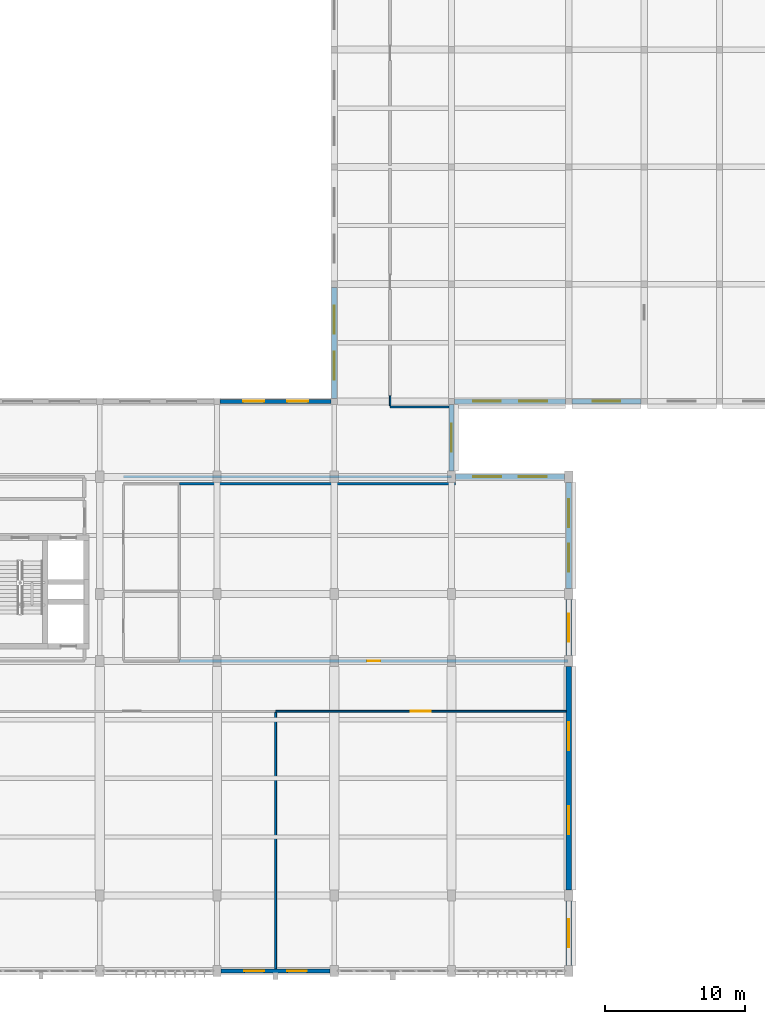
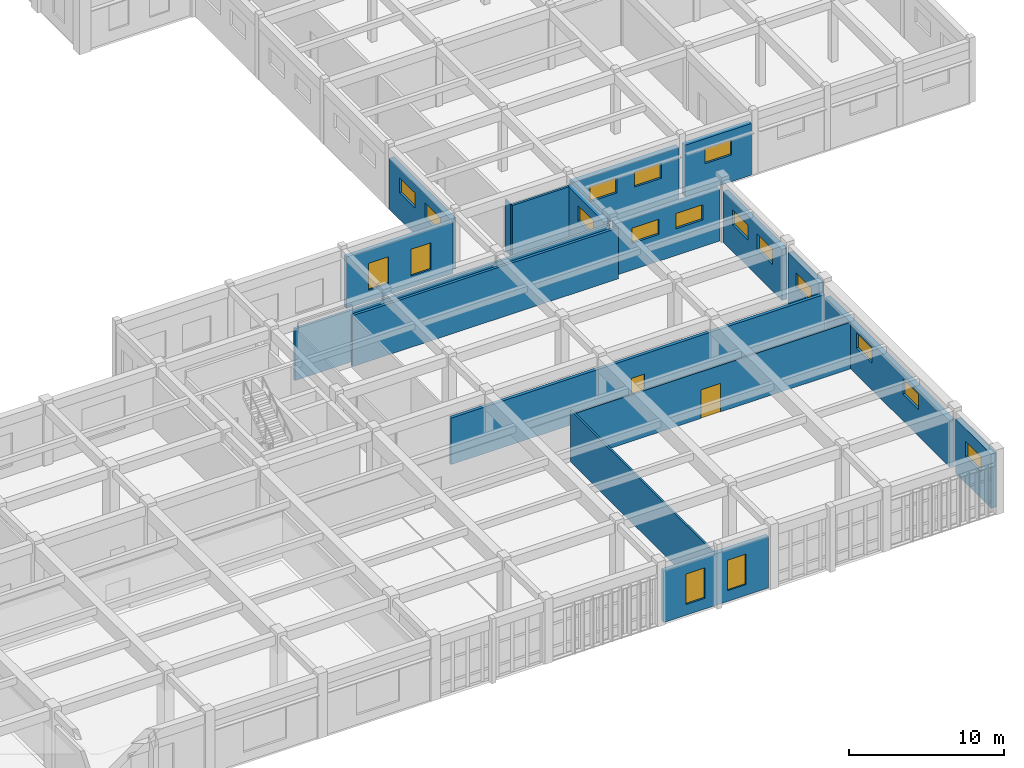
# One storey, part 93 of 106: 18 walls, 18 windows, 2 doors, 20 openings.
"""IFC4 building model written with IfcOpenShell, lengths in metres."""

from ifc_helpers import new_model, si_unit, direction, frame, frame_2d, origin, place, context, subcontext, project, spatial, rectangle, extrude, material, layer, layer_set, type_object, element, fill, save


model = new_model("IFC4")

# Units and contexts
model_context = context("Model", 3, precision=1e-05, world=origin(), true_north=direction((0.0, 1.0)))
body_context = subcontext(model_context, "Body", "Model", "MODEL_VIEW")
ifc_project = project(units=[si_unit("LENGTHUNIT", "METRE"), si_unit("AREAUNIT", "SQUARE_METRE"), si_unit("VOLUMEUNIT", "CUBIC_METRE"), si_unit("PLANEANGLEUNIT", "RADIAN"), si_unit("MASSUNIT", "GRAM", prefix="KILO")], contexts=[model_context])

# Site, building, storey
site_placement = place(None, origin())
site = spatial("IfcSite", under=ifc_project, at=site_placement, CompositionType="ELEMENT")
building_placement = place(site_placement, origin())
building = spatial("IfcBuilding", under=site, at=building_placement, Name="Krzemoval Escarpment Law Courts", CompositionType="ELEMENT")
storey_placement = place(building_placement, frame((0.0, 0.0, 5.10009765625)))
storey = spatial("IfcBuildingStorey", under=building, at=storey_placement, Name="L01", CompositionType="ELEMENT", Elevation=5.10009765625)

# Wall, openings, windows
ifc_material_1 = material(Name="Precast concrete C40/50", Category="concrete")
ifc_layer_1 = layer(ifc_material_1, 0.300048828125)
ifc_layer_set_1 = layer_set([ifc_layer_1], Name="Precast concrete C40/50")
wall_type_1 = type_object("IfcWallType", Name="WL-EXT-300", PredefinedType="SOLIDWALL", material=ifc_layer_set_1)
wall_1_placement = place(storey_placement, frame((134.10009765625, 0.0, 0.0), z_axis=(0.0, 0.0, 1.0), x_axis=(-1.0, 0.0, 0.0)))
wall_1 = element("IfcWall", 1, at=wall_1_placement, inside=storey, type_object=wall_type_1, Name="Exterior Wall EW-L01-0226", PredefinedType="SOLIDWALL", context=body_context, shape_type="SweptSolid", body=[
    extrude(rectangle(XDim=7.800048828125, YDim=0.300048828125, at=frame_2d((3.89990234375, 0.0))), origin(), (0.0, 0.0, 1.0), 4.06982421875),
])
opening_1_placement = place(wall_1_placement, frame((1.6669921875, 0.0, 0.85009765625)))
opening_1 = element("IfcOpeningElement", 2, at=opening_1_placement, cuts=wall_1, Name="Opening WN-L01-0226", PredefinedType="OPENING", context=body_context, shape_type="SweptSolid", body=[
    extrude(rectangle(XDim=1.39990234375, YDim=2.39990234375, at=frame_2d((0.699951171875, 1.199951171875))), frame((0.0, 0.16502, 0.0), z_axis=(0.0, -1.0, 0.0), x_axis=(1.0, 0.0, 0.0)), (0.0, 0.0, 1.0), 0.33005),
])
opening_2_placement = place(wall_1_placement, frame((4.73291015625, 0.0, 0.85009765625)))
opening_2 = element("IfcOpeningElement", 3, at=opening_2_placement, cuts=wall_1, Name="Opening WN-L01-0227", PredefinedType="OPENING", context=body_context, shape_type="SweptSolid", body=[
    extrude(rectangle(XDim=1.39990234375, YDim=2.39990234375, at=frame_2d((0.699951171875, 1.199951171875))), frame((0.0, 0.16502, 0.0), z_axis=(0.0, -1.0, 0.0), x_axis=(1.0, 0.0, 0.0)), (0.0, 0.0, 1.0), 0.33005),
])
ifc_material_2 = material(Name="Thermally Broken Aluminium Frame with Triple Low-E Acoustic Glass", Category="aluminium")
window_type_1 = type_object("IfcWindowType", Name="WN-1400x2400", PartitioningType="SINGLE_PANEL", PredefinedType="WINDOW", material=ifc_material_2)
window_1_placement = place(opening_1_placement, origin())
window_1 = element("IfcWindow", 4, at=window_1_placement, inside=storey, type_object=window_type_1, Name="Facade Window WN-L01-0226", OverallHeight=2.39990234375, OverallWidth=1.39990234375, PartitioningType="SINGLE_PANEL", PredefinedType="WINDOW", context=body_context, shape_type="SweptSolid", body=[
    extrude(rectangle(XDim=1.39990234375, YDim=2.39990234375, at=frame_2d((0.699951171875, 1.199951171875))), frame((0.0, 0.030029296875, 0.0), z_axis=(0.0, -1.0, 0.0), x_axis=(1.0, 0.0, 0.0)), (0.0, 0.0, 1.0), 0.06005859375),
])
fill(opening_1, window_1)
window_2_placement = place(opening_2_placement, origin())
window_2 = element("IfcWindow", 5, at=window_2_placement, inside=storey, type_object=window_type_1, Name="Facade Window WN-L01-0227", OverallHeight=2.39990234375, OverallWidth=1.39990234375, PartitioningType="SINGLE_PANEL", PredefinedType="WINDOW", context=body_context, shape_type="SweptSolid", body=[
    extrude(rectangle(XDim=1.39990234375, YDim=2.39990234375, at=frame_2d((0.699951171875, 1.199951171875))), frame((0.0, 0.030029296875, 0.0), z_axis=(0.0, -1.0, 0.0), x_axis=(1.0, 0.0, 0.0)), (0.0, 0.0, 1.0), 0.06005859375),
])
fill(opening_2, window_2)

wall_2_placement = place(storey_placement, frame((126.22509765625, 40.800048828125, 0.0), z_axis=(0.0, 0.0, 1.0), x_axis=(1.0, 0.0, 0.0)))
wall_2 = element("IfcWall", 6, at=wall_2_placement, inside=storey, type_object=wall_type_1, Name="Exterior Wall EW-L01-0248", PredefinedType="SOLIDWALL", context=body_context, shape_type="SweptSolid", body=[
    extrude(rectangle(XDim=7.949951171875, YDim=0.300048828125, at=frame_2d((3.97509765625, 0.0))), origin(), (0.0, 0.0, 1.0), 4.06982421875),
])
opening_3_placement = place(wall_2_placement, frame((1.64990234375, 0.0, 0.89990234375)))
opening_3 = element("IfcOpeningElement", 7, at=opening_3_placement, cuts=wall_2, Name="Opening WN-L01-0259", PredefinedType="OPENING", context=body_context, shape_type="SweptSolid", body=[
    extrude(rectangle(XDim=1.5, YDim=2.10009765625, at=frame_2d((0.75, 1.050048828125))), frame((0.0, 0.16502, 0.0), z_axis=(0.0, -1.0, 0.0), x_axis=(1.0, 0.0, 0.0)), (0.0, 0.0, 1.0), 0.33005),
])
opening_4_placement = place(wall_2_placement, frame((4.800048828125, 0.0, 0.89990234375)))
opening_4 = element("IfcOpeningElement", 8, at=opening_4_placement, cuts=wall_2, Name="Opening WN-L01-0260", PredefinedType="OPENING", context=body_context, shape_type="SweptSolid", body=[
    extrude(rectangle(XDim=1.5, YDim=2.10009765625, at=frame_2d((0.75, 1.050048828125))), frame((0.0, 0.16502, 0.0), z_axis=(0.0, -1.0, 0.0), x_axis=(1.0, 0.0, 0.0)), (0.0, 0.0, 1.0), 0.33005),
])
ifc_material_3 = material(Name="Thermally Broken Aluminium Frame with Triple Low-E Acoustic Glass", Category="aluminium")
window_type_2 = type_object("IfcWindowType", Name="WN-1500x2100", PartitioningType="SINGLE_PANEL", PredefinedType="WINDOW", material=ifc_material_3)
window_3_placement = place(opening_3_placement, origin())
window_3 = element("IfcWindow", 9, at=window_3_placement, inside=storey, type_object=window_type_2, Name="Facade Window WN-L01-0259", OverallHeight=2.10009765625, OverallWidth=1.5, PartitioningType="SINGLE_PANEL", PredefinedType="WINDOW", context=body_context, shape_type="SweptSolid", body=[
    extrude(rectangle(XDim=1.5, YDim=2.10009765625, at=frame_2d((0.75, 1.050048828125))), frame((0.0, 0.030029296875, 0.0), z_axis=(0.0, -1.0, 0.0), x_axis=(1.0, 0.0, 0.0)), (0.0, 0.0, 1.0), 0.06005859375),
])
fill(opening_3, window_3)
window_4_placement = place(opening_4_placement, origin())
window_4 = element("IfcWindow", 10, at=window_4_placement, inside=storey, type_object=window_type_2, Name="Facade Window WN-L01-0260", OverallHeight=2.10009765625, OverallWidth=1.5, PartitioningType="SINGLE_PANEL", PredefinedType="WINDOW", context=body_context, shape_type="SweptSolid", body=[
    extrude(rectangle(XDim=1.5, YDim=2.10009765625, at=frame_2d((0.75, 1.050048828125))), frame((0.0, 0.030029296875, 0.0), z_axis=(0.0, -1.0, 0.0), x_axis=(1.0, 0.0, 0.0)), (0.0, 0.0, 1.0), 0.06005859375),
])
fill(opening_4, window_4)

# Wall, opening, window
ifc_material_4 = material(Name="Concrete C40/50", Category="concrete")
ifc_layer_2 = layer(ifc_material_4, 0.3798828125)
ifc_layer_set_2 = layer_set([ifc_layer_2], Name="Concrete C40/50")
wall_type_2 = type_object("IfcWallType", Name="WL-EXT-380", PredefinedType="SOLIDWALL", material=ifc_layer_set_2)
wall_3_placement = place(storey_placement, frame((156.375, 40.800048828125, 0.0), z_axis=(0.0, 0.0, 1.0), x_axis=(-1.0, 0.0, 0.0)))
wall_3 = element("IfcWall", 11, at=wall_3_placement, inside=storey, type_object=wall_type_2, Name="Exterior Wall EW-L01-0218", PredefinedType="SOLIDWALL", context=body_context, shape_type="SweptSolid", body=[
    extrude(rectangle(XDim=4.949951171875, YDim=0.3798828125, at=frame_2d((2.47509765625, 0.0))), origin(), (0.0, 0.0, 1.0), 4.06982421875),
])
opening_5_placement = place(wall_3_placement, frame((1.47509765625, 0.0, 2.10009765625)))
opening_5 = element("IfcOpeningElement", 12, at=opening_5_placement, cuts=wall_3, Name="Opening WN-L01-0214", PredefinedType="OPENING", context=body_context, shape_type="SweptSolid", body=[
    extrude(rectangle(XDim=2.0, YDim=1.199951171875, at=frame_2d((1.0, 0.60009765625))), frame((0.0, 0.20494, 0.0), z_axis=(0.0, -1.0, 0.0), x_axis=(1.0, 0.0, 0.0)), (0.0, 0.0, 1.0), 0.40988),
])
ifc_material_5 = material(Name="Thermally Broken Aluminium Frame with Triple Low-E Acoustic Glass", Category="aluminium")
window_type_3 = type_object("IfcWindowType", Name="WN-2000x1200", PartitioningType="SINGLE_PANEL", PredefinedType="WINDOW", material=ifc_material_5)
window_5_placement = place(opening_5_placement, origin())
window_5 = element("IfcWindow", 13, at=window_5_placement, inside=storey, type_object=window_type_3, Name="Facade Window WN-L01-0214", OverallHeight=1.199951171875, OverallWidth=2.0, PartitioningType="SINGLE_PANEL", PredefinedType="WINDOW", context=body_context, shape_type="SweptSolid", body=[
    extrude(rectangle(XDim=2.0, YDim=1.199951171875, at=frame_2d((1.0, 0.60009765625))), frame((0.0, 0.030029296875, 0.0), z_axis=(0.0, -1.0, 0.0), x_axis=(1.0, 0.0, 0.0)), (0.0, 0.0, 1.0), 0.06005859375),
])
fill(opening_5, window_5)

# Wall, openings, windows
wall_4_placement = place(storey_placement, frame((150.97509765625, 40.800048828125, 0.0), z_axis=(0.0, 0.0, 1.0), x_axis=(-1.0, 0.0, 0.0)))
wall_4 = element("IfcWall", 14, at=wall_4_placement, inside=storey, type_object=wall_type_2, Name="Exterior Wall EW-L01-0219", PredefinedType="SOLIDWALL", context=body_context, shape_type="SweptSolid", body=[
    extrude(rectangle(XDim=7.9501953125, YDim=0.3798828125, at=frame_2d((3.97509765625, 0.0))), origin(), (0.0, 0.0, 1.0), 4.06982421875),
])
opening_6_placement = place(wall_4_placement, frame((1.31689453125, 0.0, 2.10009765625)))
opening_6 = element("IfcOpeningElement", 15, at=opening_6_placement, cuts=wall_4, Name="Opening WN-L01-0215", PredefinedType="OPENING", context=body_context, shape_type="SweptSolid", body=[
    extrude(rectangle(XDim=2.0, YDim=1.199951171875, at=frame_2d((1.0, 0.60009765625))), frame((0.0, 0.20494, 0.0), z_axis=(0.0, -1.0, 0.0), x_axis=(1.0, 0.0, 0.0)), (0.0, 0.0, 1.0), 0.40988),
])
opening_7_placement = place(wall_4_placement, frame((4.633056640625, 0.0, 2.10009765625)))
opening_7 = element("IfcOpeningElement", 16, at=opening_7_placement, cuts=wall_4, Name="Opening WN-L01-0216", PredefinedType="OPENING", context=body_context, shape_type="SweptSolid", body=[
    extrude(rectangle(XDim=2.0, YDim=1.199951171875, at=frame_2d((1.0, 0.60009765625))), frame((0.0, 0.20494, 0.0), z_axis=(0.0, -1.0, 0.0), x_axis=(1.0, 0.0, 0.0)), (0.0, 0.0, 1.0), 0.40988),
])
window_6_placement = place(opening_6_placement, origin())
window_6 = element("IfcWindow", 17, at=window_6_placement, inside=storey, type_object=window_type_3, Name="Facade Window WN-L01-0215", OverallHeight=1.199951171875, OverallWidth=2.0, PartitioningType="SINGLE_PANEL", PredefinedType="WINDOW", context=body_context, shape_type="SweptSolid", body=[
    extrude(rectangle(XDim=2.0, YDim=1.199951171875, at=frame_2d((1.0, 0.60009765625))), frame((0.0, 0.030029296875, 0.0), z_axis=(0.0, -1.0, 0.0), x_axis=(1.0, 0.0, 0.0)), (0.0, 0.0, 1.0), 0.06005859375),
])
fill(opening_6, window_6)
window_7_placement = place(opening_7_placement, origin())
window_7 = element("IfcWindow", 18, at=window_7_placement, inside=storey, type_object=window_type_3, Name="Facade Window WN-L01-0216", OverallHeight=1.199951171875, OverallWidth=2.0, PartitioningType="SINGLE_PANEL", PredefinedType="WINDOW", context=body_context, shape_type="SweptSolid", body=[
    extrude(rectangle(XDim=2.0, YDim=1.199951171875, at=frame_2d((1.0, 0.60009765625))), frame((0.0, 0.030029296875, 0.0), z_axis=(0.0, -1.0, 0.0), x_axis=(1.0, 0.0, 0.0)), (0.0, 0.0, 1.0), 0.06005859375),
])
fill(opening_7, window_7)

# Wall, opening, window
wall_5_placement = place(storey_placement, frame((142.800048828125, 40.574951171875, 0.0), z_axis=(0.0, 0.0, 1.0), x_axis=(0.0, -1.0, 0.0)))
wall_5 = element("IfcWall", 19, at=wall_5_placement, inside=storey, type_object=wall_type_2, Name="Exterior Wall EW-L01-0220", PredefinedType="SOLIDWALL", context=body_context, shape_type="SweptSolid", body=[
    extrude(rectangle(XDim=4.77490234375, YDim=0.3798828125, at=frame_2d((2.387451171875, 0.0))), origin(), (0.0, 0.0, 1.0), 4.02001953125),
])
opening_8_placement = place(wall_5_placement, frame((1.387939453125, 0.0, 2.10009765625)))
opening_8 = element("IfcOpeningElement", 20, at=opening_8_placement, cuts=wall_5, Name="Opening WN-L01-0217", PredefinedType="OPENING", context=body_context, shape_type="SweptSolid", body=[
    extrude(rectangle(XDim=2.0, YDim=1.199951171875, at=frame_2d((1.0, 0.60009765625))), frame((0.0, 0.20494, 0.0), z_axis=(0.0, -1.0, 0.0), x_axis=(1.0, 0.0, 0.0)), (0.0, 0.0, 1.0), 0.40988),
])
window_8_placement = place(opening_8_placement, origin())
window_8 = element("IfcWindow", 21, at=window_8_placement, inside=storey, type_object=window_type_3, Name="Facade Window WN-L01-0217", OverallHeight=1.199951171875, OverallWidth=2.0, PartitioningType="SINGLE_PANEL", PredefinedType="WINDOW", context=body_context, shape_type="SweptSolid", body=[
    extrude(rectangle(XDim=2.0, YDim=1.199951171875, at=frame_2d((1.0, 0.60009765625))), frame((0.0, 0.030029296875, 0.0), z_axis=(0.0, -1.0, 0.0), x_axis=(1.0, 0.0, 0.0)), (0.0, 0.0, 1.0), 0.06005859375),
])
fill(opening_8, window_8)

# Wall, openings, windows
wall_6_placement = place(storey_placement, frame((143.10009765625, 35.39990234375, 0.0), z_axis=(0.0, 0.0, 1.0), x_axis=(1.0, 0.0, 0.0)))
wall_6 = element("IfcWall", 22, at=wall_6_placement, inside=storey, type_object=wall_type_2, Name="Exterior Wall EW-L01-0221", PredefinedType="SOLIDWALL", context=body_context, shape_type="SweptSolid", body=[
    extrude(rectangle(XDim=7.7998046875, YDim=0.3798828125, at=frame_2d((3.89990234375, 0.0))), origin(), (0.0, 0.0, 1.0), 4.06982421875),
])
opening_9_placement = place(wall_6_placement, frame((1.26708984375, 0.0, 2.10009765625)))
opening_9 = element("IfcOpeningElement", 23, at=opening_9_placement, cuts=wall_6, Name="Opening WN-L01-0218", PredefinedType="OPENING", context=body_context, shape_type="SweptSolid", body=[
    extrude(rectangle(XDim=2.0, YDim=1.199951171875, at=frame_2d((1.0, 0.60009765625))), frame((0.0, 0.20494, 0.0), z_axis=(0.0, -1.0, 0.0), x_axis=(1.0, 0.0, 0.0)), (0.0, 0.0, 1.0), 0.40988),
])
opening_10_placement = place(wall_6_placement, frame((4.532958984375, 0.0, 2.10009765625)))
opening_10 = element("IfcOpeningElement", 24, at=opening_10_placement, cuts=wall_6, Name="Opening WN-L01-0219", PredefinedType="OPENING", context=body_context, shape_type="SweptSolid", body=[
    extrude(rectangle(XDim=2.0, YDim=1.199951171875, at=frame_2d((1.0, 0.60009765625))), frame((0.0, 0.20494, 0.0), z_axis=(0.0, -1.0, 0.0), x_axis=(1.0, 0.0, 0.0)), (0.0, 0.0, 1.0), 0.40988),
])
window_9_placement = place(opening_9_placement, origin())
window_9 = element("IfcWindow", 25, at=window_9_placement, inside=storey, type_object=window_type_3, Name="Facade Window WN-L01-0218", OverallHeight=1.199951171875, OverallWidth=2.0, PartitioningType="SINGLE_PANEL", PredefinedType="WINDOW", context=body_context, shape_type="SweptSolid", body=[
    extrude(rectangle(XDim=2.0, YDim=1.199951171875, at=frame_2d((1.0, 0.60009765625))), frame((0.0, 0.030029296875, 0.0), z_axis=(0.0, -1.0, 0.0), x_axis=(1.0, 0.0, 0.0)), (0.0, 0.0, 1.0), 0.06005859375),
])
fill(opening_9, window_9)
window_10_placement = place(opening_10_placement, origin())
window_10 = element("IfcWindow", 26, at=window_10_placement, inside=storey, type_object=window_type_3, Name="Facade Window WN-L01-0219", OverallHeight=1.199951171875, OverallWidth=2.0, PartitioningType="SINGLE_PANEL", PredefinedType="WINDOW", context=body_context, shape_type="SweptSolid", body=[
    extrude(rectangle(XDim=2.0, YDim=1.199951171875, at=frame_2d((1.0, 0.60009765625))), frame((0.0, 0.030029296875, 0.0), z_axis=(0.0, -1.0, 0.0), x_axis=(1.0, 0.0, 0.0)), (0.0, 0.0, 1.0), 0.06005859375),
])
fill(opening_10, window_10)

wall_7_placement = place(storey_placement, frame((151.199951171875, 35.0, 0.0), z_axis=(0.0, 0.0, 1.0), x_axis=(0.0, -1.0, 0.0)))
wall_7 = element("IfcWall", 27, at=wall_7_placement, inside=storey, type_object=wall_type_2, Name="Exterior Wall EW-L01-0222", PredefinedType="SOLIDWALL", context=body_context, shape_type="SweptSolid", body=[
    extrude(rectangle(XDim=7.60009765625, YDim=0.3798828125, at=frame_2d((3.800048828125, 0.0))), origin(), (0.0, 0.0, 1.0), 4.02001953125),
])
opening_11_placement = place(wall_7_placement, frame((1.199951171875, 0.0, 2.10009765625)))
opening_11 = element("IfcOpeningElement", 28, at=opening_11_placement, cuts=wall_7, Name="Opening WN-L01-0220", PredefinedType="OPENING", context=body_context, shape_type="SweptSolid", body=[
    extrude(rectangle(XDim=2.0, YDim=1.199951171875, at=frame_2d((1.0, 0.60009765625))), frame((0.0, 0.20494, 0.0), z_axis=(0.0, -1.0, 0.0), x_axis=(1.0, 0.0, 0.0)), (0.0, 0.0, 1.0), 0.40988),
])
opening_12_placement = place(wall_7_placement, frame((4.39990234375, 0.0, 2.10009765625)))
opening_12 = element("IfcOpeningElement", 29, at=opening_12_placement, cuts=wall_7, Name="Opening WN-L01-0221", PredefinedType="OPENING", context=body_context, shape_type="SweptSolid", body=[
    extrude(rectangle(XDim=2.0, YDim=1.199951171875, at=frame_2d((1.0, 0.60009765625))), frame((0.0, 0.20494, 0.0), z_axis=(0.0, -1.0, 0.0), x_axis=(1.0, 0.0, 0.0)), (0.0, 0.0, 1.0), 0.40988),
])
window_11_placement = place(opening_11_placement, origin())
window_11 = element("IfcWindow", 30, at=window_11_placement, inside=storey, type_object=window_type_3, Name="Facade Window WN-L01-0220", OverallHeight=1.199951171875, OverallWidth=2.0, PartitioningType="SINGLE_PANEL", PredefinedType="WINDOW", context=body_context, shape_type="SweptSolid", body=[
    extrude(rectangle(XDim=2.0, YDim=1.199951171875, at=frame_2d((1.0, 0.60009765625))), frame((0.0, 0.030029296875, 0.0), z_axis=(0.0, -1.0, 0.0), x_axis=(1.0, 0.0, 0.0)), (0.0, 0.0, 1.0), 0.06005859375),
])
fill(opening_11, window_11)
window_12_placement = place(opening_12_placement, origin())
window_12 = element("IfcWindow", 31, at=window_12_placement, inside=storey, type_object=window_type_3, Name="Facade Window WN-L01-0221", OverallHeight=1.199951171875, OverallWidth=2.0, PartitioningType="SINGLE_PANEL", PredefinedType="WINDOW", context=body_context, shape_type="SweptSolid", body=[
    extrude(rectangle(XDim=2.0, YDim=1.199951171875, at=frame_2d((1.0, 0.60009765625))), frame((0.0, 0.030029296875, 0.0), z_axis=(0.0, -1.0, 0.0), x_axis=(1.0, 0.0, 0.0)), (0.0, 0.0, 1.0), 0.06005859375),
])
fill(opening_12, window_12)

# Wall, opening, window
wall_8_placement = place(storey_placement, frame((151.199951171875, 26.60009765625, 0.0), z_axis=(0.0, 0.0, 1.0), x_axis=(0.0, -1.0, 0.0)))
wall_8 = element("IfcWall", 32, at=wall_8_placement, inside=storey, type_object=wall_type_2, Name="Exterior Wall EW-L01-0223", PredefinedType="SOLIDWALL", context=body_context, shape_type="SweptSolid", body=[
    extrude(rectangle(XDim=4.0, YDim=0.3798828125, at=frame_2d((2.0, 0.0))), origin(), (0.0, 0.0, 1.0), 4.27001953125),
])
opening_13_placement = place(wall_8_placement, frame((1.0, 0.0, 2.10009765625)))
opening_13 = element("IfcOpeningElement", 33, at=opening_13_placement, cuts=wall_8, Name="Opening WN-L01-0222", PredefinedType="OPENING", context=body_context, shape_type="SweptSolid", body=[
    extrude(rectangle(XDim=2.0, YDim=1.199951171875, at=frame_2d((1.0, 0.60009765625))), frame((0.0, 0.20494, 0.0), z_axis=(0.0, -1.0, 0.0), x_axis=(1.0, 0.0, 0.0)), (0.0, 0.0, 1.0), 0.40988),
])
window_13_placement = place(opening_13_placement, origin())
window_13 = element("IfcWindow", 34, at=window_13_placement, inside=storey, type_object=window_type_3, Name="Facade Window WN-L01-0222", OverallHeight=1.199951171875, OverallWidth=2.0, PartitioningType="SINGLE_PANEL", PredefinedType="WINDOW", context=body_context, shape_type="SweptSolid", body=[
    extrude(rectangle(XDim=2.0, YDim=1.199951171875, at=frame_2d((1.0, 0.60009765625))), frame((0.0, 0.030029296875, 0.0), z_axis=(0.0, -1.0, 0.0), x_axis=(1.0, 0.0, 0.0)), (0.0, 0.0, 1.0), 0.06005859375),
])
fill(opening_13, window_13)

# Wall, openings, windows
wall_9_placement = place(storey_placement, frame((151.199951171875, 21.800048828125, 0.0), z_axis=(0.0, 0.0, 1.0), x_axis=(0.0, -1.0, 0.0)))
wall_9 = element("IfcWall", 35, at=wall_9_placement, inside=storey, type_object=wall_type_2, Name="Exterior Wall EW-L01-0224", PredefinedType="SOLIDWALL", context=body_context, shape_type="SweptSolid", body=[
    extrude(rectangle(XDim=16.0, YDim=0.3798828125, at=frame_2d((8.0, 0.0))), origin(), (0.0, 0.0, 1.0), 3.669921875),
])
opening_14_placement = place(wall_9_placement, frame((4.0, 0.0, 2.10009765625)))
opening_14 = element("IfcOpeningElement", 36, at=opening_14_placement, cuts=wall_9, Name="Opening WN-L01-0223", PredefinedType="OPENING", context=body_context, shape_type="SweptSolid", body=[
    extrude(rectangle(XDim=2.0, YDim=1.199951171875, at=frame_2d((1.0, 0.60009765625))), frame((0.0, 0.20494, 0.0), z_axis=(0.0, -1.0, 0.0), x_axis=(1.0, 0.0, 0.0)), (0.0, 0.0, 1.0), 0.40988),
])
opening_15_placement = place(wall_9_placement, frame((10.0, 0.0, 2.10009765625)))
opening_15 = element("IfcOpeningElement", 37, at=opening_15_placement, cuts=wall_9, Name="Opening WN-L01-0224", PredefinedType="OPENING", context=body_context, shape_type="SweptSolid", body=[
    extrude(rectangle(XDim=2.0, YDim=1.199951171875, at=frame_2d((1.0, 0.60009765625))), frame((0.0, 0.20494, 0.0), z_axis=(0.0, -1.0, 0.0), x_axis=(1.0, 0.0, 0.0)), (0.0, 0.0, 1.0), 0.40988),
])
window_14_placement = place(opening_14_placement, origin())
window_14 = element("IfcWindow", 38, at=window_14_placement, inside=storey, type_object=window_type_3, Name="Facade Window WN-L01-0223", OverallHeight=1.199951171875, OverallWidth=2.0, PartitioningType="SINGLE_PANEL", PredefinedType="WINDOW", context=body_context, shape_type="SweptSolid", body=[
    extrude(rectangle(XDim=2.0, YDim=1.199951171875, at=frame_2d((1.0, 0.60009765625))), frame((0.0, 0.030029296875, 0.0), z_axis=(0.0, -1.0, 0.0), x_axis=(1.0, 0.0, 0.0)), (0.0, 0.0, 1.0), 0.06005859375),
])
fill(opening_14, window_14)
window_15_placement = place(opening_15_placement, origin())
window_15 = element("IfcWindow", 39, at=window_15_placement, inside=storey, type_object=window_type_3, Name="Facade Window WN-L01-0224", OverallHeight=1.199951171875, OverallWidth=2.0, PartitioningType="SINGLE_PANEL", PredefinedType="WINDOW", context=body_context, shape_type="SweptSolid", body=[
    extrude(rectangle(XDim=2.0, YDim=1.199951171875, at=frame_2d((1.0, 0.60009765625))), frame((0.0, 0.030029296875, 0.0), z_axis=(0.0, -1.0, 0.0), x_axis=(1.0, 0.0, 0.0)), (0.0, 0.0, 1.0), 0.06005859375),
])
fill(opening_15, window_15)

# Wall, opening, window
wall_10_placement = place(storey_placement, frame((151.199951171875, 5.0, 0.0), z_axis=(0.0, 0.0, 1.0), x_axis=(0.0, -1.0, 0.0)))
wall_10 = element("IfcWall", 40, at=wall_10_placement, inside=storey, type_object=wall_type_2, Name="Exterior Wall EW-L01-0225", PredefinedType="SOLIDWALL", context=body_context, shape_type="SweptSolid", body=[
    extrude(rectangle(XDim=4.60009765625, YDim=0.3798828125, at=frame_2d((2.300048828125, 0.0))), origin(), (0.0, 0.0, 1.0), 4.27001953125),
])
opening_16_placement = place(wall_10_placement, frame((1.300048828125, 0.0, 2.10009765625)))
opening_16 = element("IfcOpeningElement", 41, at=opening_16_placement, cuts=wall_10, Name="Opening WN-L01-0225", PredefinedType="OPENING", context=body_context, shape_type="SweptSolid", body=[
    extrude(rectangle(XDim=2.0, YDim=1.199951171875, at=frame_2d((1.0, 0.60009765625))), frame((0.0, 0.20494, 0.0), z_axis=(0.0, -1.0, 0.0), x_axis=(1.0, 0.0, 0.0)), (0.0, 0.0, 1.0), 0.40988),
])
window_16_placement = place(opening_16_placement, origin())
window_16 = element("IfcWindow", 42, at=window_16_placement, inside=storey, type_object=window_type_3, Name="Facade Window WN-L01-0225", OverallHeight=1.199951171875, OverallWidth=2.0, PartitioningType="SINGLE_PANEL", PredefinedType="WINDOW", context=body_context, shape_type="SweptSolid", body=[
    extrude(rectangle(XDim=2.0, YDim=1.199951171875, at=frame_2d((1.0, 0.60009765625))), frame((0.0, 0.030029296875, 0.0), z_axis=(0.0, -1.0, 0.0), x_axis=(1.0, 0.0, 0.0)), (0.0, 0.0, 1.0), 0.06005859375),
])
fill(opening_16, window_16)

# Wall, openings, windows
wall_11_placement = place(storey_placement, frame((134.39990234375, 41.02490234375, 0.0), z_axis=(0.0, 0.0, 1.0), x_axis=(0.0, 1.0, 0.0)))
wall_11 = element("IfcWall", 43, at=wall_11_placement, inside=storey, type_object=wall_type_2, Name="Exterior Wall EW-L01-0249", PredefinedType="SOLIDWALL", context=body_context, shape_type="SweptSolid", body=[
    extrude(rectangle(XDim=7.9501953125, YDim=0.3798828125, at=frame_2d((3.97509765625, 0.0))), origin(), (0.0, 0.0, 1.0), 4.02001953125),
])
opening_17_placement = place(wall_11_placement, frame((1.31689453125, 0.0, 2.10009765625)))
opening_17 = element("IfcOpeningElement", 44, at=opening_17_placement, cuts=wall_11, Name="Opening WN-L01-0261", PredefinedType="OPENING", context=body_context, shape_type="SweptSolid", body=[
    extrude(rectangle(XDim=2.0, YDim=1.199951171875, at=frame_2d((1.0, 0.60009765625))), frame((0.0, 0.20494, 0.0), z_axis=(0.0, -1.0, 0.0), x_axis=(1.0, 0.0, 0.0)), (0.0, 0.0, 1.0), 0.40988),
])
opening_18_placement = place(wall_11_placement, frame((4.633056640625, 0.0, 2.10009765625)))
opening_18 = element("IfcOpeningElement", 45, at=opening_18_placement, cuts=wall_11, Name="Opening WN-L01-0262", PredefinedType="OPENING", context=body_context, shape_type="SweptSolid", body=[
    extrude(rectangle(XDim=2.0, YDim=1.199951171875, at=frame_2d((1.0, 0.60009765625))), frame((0.0, 0.20494, 0.0), z_axis=(0.0, -1.0, 0.0), x_axis=(1.0, 0.0, 0.0)), (0.0, 0.0, 1.0), 0.40988),
])
window_17_placement = place(opening_17_placement, origin())
window_17 = element("IfcWindow", 46, at=window_17_placement, inside=storey, type_object=window_type_3, Name="Facade Window WN-L01-0261", OverallHeight=1.199951171875, OverallWidth=2.0, PartitioningType="SINGLE_PANEL", PredefinedType="WINDOW", context=body_context, shape_type="SweptSolid", body=[
    extrude(rectangle(XDim=2.0, YDim=1.199951171875, at=frame_2d((1.0, 0.60009765625))), frame((0.0, 0.030029296875, 0.0), z_axis=(0.0, -1.0, 0.0), x_axis=(1.0, 0.0, 0.0)), (0.0, 0.0, 1.0), 0.06005859375),
])
fill(opening_17, window_17)
window_18_placement = place(opening_18_placement, origin())
window_18 = element("IfcWindow", 47, at=window_18_placement, inside=storey, type_object=window_type_3, Name="Facade Window WN-L01-0262", OverallHeight=1.199951171875, OverallWidth=2.0, PartitioningType="SINGLE_PANEL", PredefinedType="WINDOW", context=body_context, shape_type="SweptSolid", body=[
    extrude(rectangle(XDim=2.0, YDim=1.199951171875, at=frame_2d((1.0, 0.60009765625))), frame((0.0, 0.030029296875, 0.0), z_axis=(0.0, -1.0, 0.0), x_axis=(1.0, 0.0, 0.0)), (0.0, 0.0, 1.0), 0.06005859375),
])
fill(opening_18, window_18)

# Wall
ifc_material_6 = material(Name="Light Internal Subdivision Partition", Category="gypsum")
ifc_layer_3 = layer(ifc_material_6, 0.114990234375)
ifc_layer_set_3 = layer_set([ifc_layer_3], Name="Light Internal Subdivision Partition")
wall_type_3 = type_object("IfcWallType", Name="WL-PRT-115", PredefinedType="PARTITIONING", material=ifc_layer_set_3)
wall_12_placement = place(storey_placement, frame((138.39990234375, 40.48193359375, 0.0), z_axis=(0.0, 0.0, 1.0), x_axis=(0.0, 1.0, 0.0)))
element("IfcWall", 48, at=wall_12_placement, inside=storey, type_object=wall_type_3, Name="Interior Partition PW-L01-0353", PredefinedType="PARTITIONING", context=body_context, shape_type="SweptSolid", body=[
    extrude(rectangle(XDim=0.718017578125, YDim=0.114990234375, at=frame_2d((0.35888671875, 0.0))), origin(), (0.0, 0.0, 1.0), 4.06982421875),
])

# Wall, opening, door
ifc_material_7 = material(Name="Standard Metal-Stud Gypsum Partition", Category="gypsum")
ifc_layer_4 = layer(ifc_material_7, 0.125)
ifc_layer_set_4 = layer_set([ifc_layer_4], Name="Standard Metal-Stud Gypsum Partition")
wall_type_4 = type_object("IfcWallType", Name="WL-PRT-125", PredefinedType="PARTITIONING", material=ifc_layer_set_4)
wall_13_placement = place(storey_placement, frame((130.199951171875, 18.60009765625, 0.0), z_axis=(0.0, 0.0, 1.0), x_axis=(1.0, 0.0, 0.0)))
wall_13 = element("IfcWall", 49, at=wall_13_placement, inside=storey, type_object=wall_type_4, Name="Interior Partition PW-L01-0232", PredefinedType="PARTITIONING", context=body_context, shape_type="SweptSolid", body=[
    extrude(rectangle(XDim=20.80810546875, YDim=0.125, at=frame_2d((10.404052734375, 0.0))), origin(), (0.0, 0.0, 1.0), 3.669921875),
])
opening_19_placement = place(wall_13_placement, frame((9.678955078125, 0.0, 0.0)))
opening_19 = element("IfcOpeningElement", 50, at=opening_19_placement, cuts=wall_13, Name="Opening D-L01-0103", PredefinedType="OPENING", context=body_context, shape_type="SweptSolid", body=[
    extrude(rectangle(XDim=1.449951171875, YDim=2.25, at=frame_2d((0.72509765625, 1.125))), frame((0.0, 0.0775, 0.0), z_axis=(0.0, -1.0, 0.0), x_axis=(1.0, 0.0, 0.0)), (0.0, 0.0, 1.0), 0.155),
])
ifc_material_8 = material(Name="Engineered Solid-Core Oak Acoustic Timber", Category="wood")
door_type_1 = type_object("IfcDoorType", Name="DR-INT-1450x2250", OperationType="SINGLE_SWING_LEFT", PredefinedType="DOOR", material=ifc_material_8)
door_1_placement = place(opening_19_placement, origin())
door_1 = element("IfcDoor", 51, at=door_1_placement, inside=storey, type_object=door_type_1, Name="Room Door D-L01-0103", OperationType="SINGLE_SWING_LEFT", OverallHeight=2.25, OverallWidth=1.449951171875, PredefinedType="DOOR", context=body_context, shape_type="SweptSolid", body=[
    extrude(rectangle(XDim=1.449951171875, YDim=2.25, at=frame_2d((0.72509765625, 1.125))), frame((0.0, 0.02490234375, 0.0), z_axis=(0.0, -1.0, 0.0), x_axis=(1.0, 0.0, 0.0)), (0.0, 0.0, 1.0), 0.050048828125),
])
fill(opening_19, door_1)

# Walls
ifc_material_9 = material(Name="Sanitary Moisture-Resistant Partition", Category="gypsum")
ifc_layer_5 = layer(ifc_material_9, 0.139892578125)
ifc_layer_set_5 = layer_set([ifc_layer_5], Name="Sanitary Moisture-Resistant Partition")
wall_type_5 = type_object("IfcWallType", Name="WL-PRT-140", PredefinedType="PARTITIONING", material=ifc_layer_set_5)
wall_14_placement = place(storey_placement, frame((130.199951171875, 0.152099609375, 0.0), z_axis=(0.0, 0.0, 1.0), x_axis=(0.0, 1.0, 0.0)))
element("IfcWall", 52, at=wall_14_placement, inside=storey, type_object=wall_type_5, Name="Interior Partition PW-L01-0351", PredefinedType="PARTITIONING", context=body_context, shape_type="SweptSolid", body=[
    extrude(rectangle(XDim=18.3759765625, YDim=0.139892578125, at=frame_2d((9.18798828125, 0.0))), origin(), (0.0, 0.0, 1.0), 4.06982421875),
])
ifc_material_10 = material(Name="Jury Suite Partition Assembly", Category="gypsum")
ifc_layer_6 = layer(ifc_material_10, 0.159912109375)
ifc_layer_set_6 = layer_set([ifc_layer_6], Name="Jury Suite Partition Assembly")
wall_type_6 = type_object("IfcWallType", Name="WL-PRT-160", PredefinedType="PARTITIONING", material=ifc_layer_set_6)
wall_15_placement = place(storey_placement, frame((138.39990234375, 40.39990234375, 0.0), z_axis=(0.0, 0.0, 1.0), x_axis=(1.0, 0.0, 0.0)))
element("IfcWall", 53, at=wall_15_placement, inside=storey, type_object=wall_type_6, Name="Interior Partition PW-L01-0262", PredefinedType="PARTITIONING", context=body_context, shape_type="SweptSolid", body=[
    extrude(rectangle(XDim=4.2080078125, YDim=0.159912109375, at=frame_2d((2.10400390625, 0.0))), origin(), (0.0, 0.0, 1.0), 4.06982421875),
])
ifc_material_11 = material(Name="Judicial Chambers Acoustic Partition", Category="gypsum")
ifc_layer_7 = layer(ifc_material_11, 0.179931640625)
ifc_layer_set_7 = layer_set([ifc_layer_7], Name="Judicial Chambers Acoustic Partition")
wall_type_7 = type_object("IfcWallType", Name="WL-PRT-180", PredefinedType="PARTITIONING", material=ifc_layer_set_7)
wall_16_placement = place(storey_placement, frame((119.300048828125, 35.39990234375, 0.0), z_axis=(0.0, 0.0, 1.0), x_axis=(1.0, 0.0, 0.0)))
element("IfcWall", 54, at=wall_16_placement, inside=storey, type_object=wall_type_7, Name="Interior Partition PW-L01-0261", PredefinedType="PARTITIONING", context=body_context, shape_type="SweptSolid", body=[
    extrude(rectangle(XDim=23.48095703125, YDim=0.179931640625, at=frame_2d((11.740478515625, 0.0))), origin(), (0.0, 0.0, 1.0), 4.06982421875),
])
ifc_material_12 = material(Name="Fire-Rated Corridor Partition Wall", Category="gypsum")
ifc_layer_8 = layer(ifc_material_12, 0.199951171875)
ifc_layer_set_8 = layer_set([ifc_layer_8], Name="Fire-Rated Corridor Partition Wall")
wall_type_8 = type_object("IfcWallType", Name="WL-PRT-200", PredefinedType="PARTITIONING", material=ifc_layer_set_8)
wall_17_placement = place(storey_placement, frame((123.300048828125, 34.89990234375, 0.0), z_axis=(0.0, 0.0, 1.0), x_axis=(1.0, 0.0, 0.0)))
element("IfcWall", 55, at=wall_17_placement, inside=storey, type_object=wall_type_8, Name="Interior Partition PW-L01-0254", PredefinedType="PARTITIONING", context=body_context, shape_type="SweptSolid", body=[
    extrude(rectangle(XDim=19.800048828125, YDim=0.199951171875, at=frame_2d((9.89990234375, 0.0))), origin(), (0.0, 0.0, 1.0), 4.02001953125),
])

# Wall, opening, door
ifc_material_13 = material(Name="Acoustic Calcium-Silicate Block Wall", Category="masonry")
ifc_layer_9 = layer(ifc_material_13, 0.22998046875)
ifc_layer_set_9 = layer_set([ifc_layer_9], Name="Acoustic Calcium-Silicate Block Wall")
wall_type_9 = type_object("IfcWallType", Name="WL-PRT-230", PredefinedType="SOLIDWALL", material=ifc_layer_set_9)
wall_18_placement = place(storey_placement, frame((123.300048828125, 22.199951171875, 0.0), z_axis=(0.0, 0.0, 1.0), x_axis=(1.0, 0.0, 0.0)))
wall_18 = element("IfcWall", 56, at=wall_18_placement, inside=storey, type_object=wall_type_9, Name="Interior Partition PW-L01-0245", PredefinedType="SOLIDWALL", context=body_context, shape_type="SweptSolid", body=[
    extrude(rectangle(XDim=27.85498046875, YDim=0.22998046875, at=frame_2d((13.927490234375, 0.0))), origin(), (0.0, 0.0, 1.0), 3.669921875),
])
opening_20_placement = place(wall_18_placement, frame((13.452880859375, 0.0, 0.0)))
opening_20 = element("IfcOpeningElement", 57, at=opening_20_placement, cuts=wall_18, Name="Opening D-L01-0106", PredefinedType="OPENING", context=body_context, shape_type="SweptSolid", body=[
    extrude(rectangle(XDim=0.949951171875, YDim=2.10009765625, at=frame_2d((0.47509765625, 1.050048828125))), frame((0.0, 0.12999, 0.0), z_axis=(0.0, -1.0, 0.0), x_axis=(1.0, 0.0, 0.0)), (0.0, 0.0, 1.0), 0.25998),
])
ifc_material_14 = material(Name="Engineered Solid-Core Oak Acoustic Timber", Category="wood")
door_type_2 = type_object("IfcDoorType", Name="DR-INT-950x2100", OperationType="SINGLE_SWING_LEFT", PredefinedType="DOOR", material=ifc_material_14)
door_2_placement = place(opening_20_placement, origin())
door_2 = element("IfcDoor", 58, at=door_2_placement, inside=storey, type_object=door_type_2, Name="Room Door D-L01-0106", OperationType="SINGLE_SWING_LEFT", OverallHeight=2.10009765625, OverallWidth=0.949951171875, PredefinedType="DOOR", context=body_context, shape_type="SweptSolid", body=[
    extrude(rectangle(XDim=0.949951171875, YDim=2.10009765625, at=frame_2d((0.47509765625, 1.050048828125))), frame((0.0, 0.02490234375, 0.0), z_axis=(0.0, -1.0, 0.0), x_axis=(1.0, 0.0, 0.0)), (0.0, 0.0, 1.0), 0.050048828125),
])
fill(opening_20, door_2)

save(model, "model.ifc")
